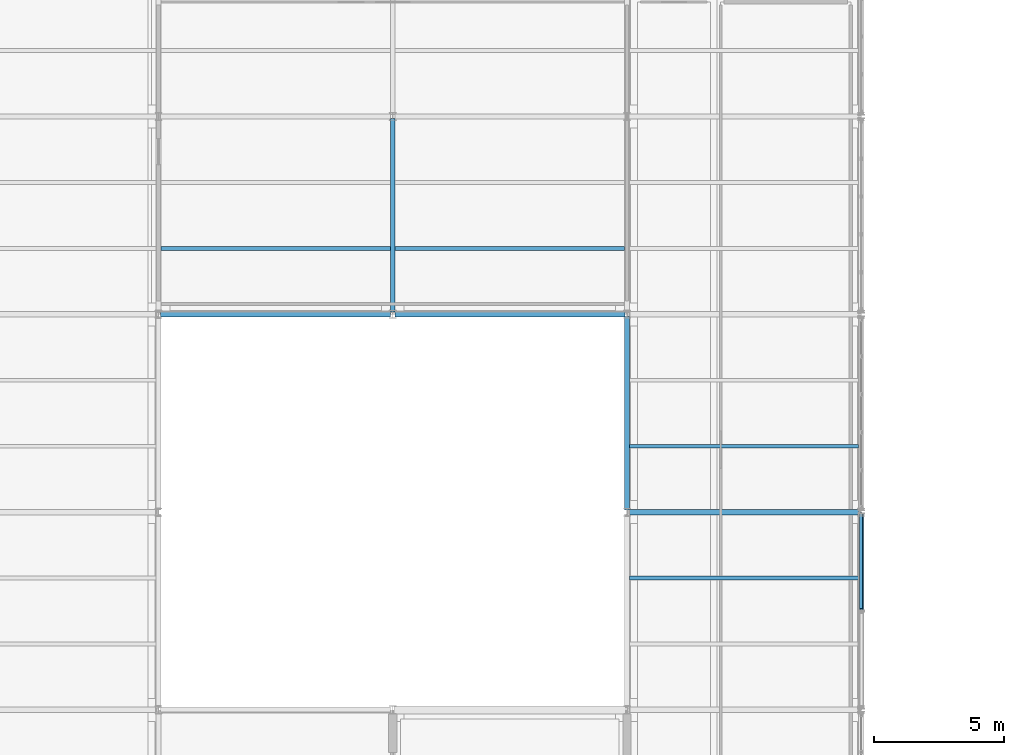
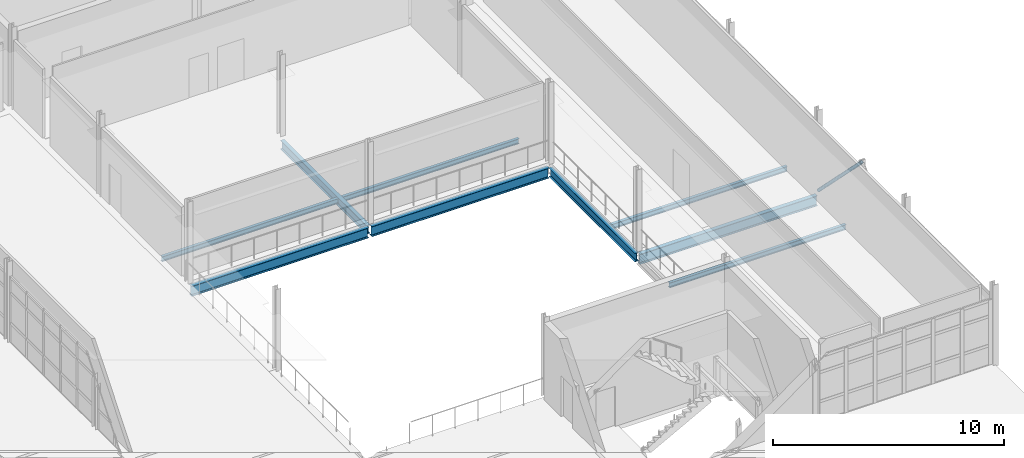
# One storey, part 61 of 96: 9 beams, 1 member.
"""IFC4 building model written with IfcOpenShell, lengths in metres."""

from ifc_helpers import new_model, si_unit, direction, frame, origin, origin_2d, place, context, subcontext, project, spatial, hollow_circle, i_section, extrude, material, material_profile, profile_set, type_object, element, save


model = new_model("IFC4")

# Units and contexts
model_context = context("Model", 3, precision=1e-05, world=origin(), true_north=direction((0.0, 1.0)))
body_context = subcontext(model_context, "Body", "Model", "MODEL_VIEW")
ifc_project = project(units=[si_unit("LENGTHUNIT", "METRE"), si_unit("AREAUNIT", "SQUARE_METRE"), si_unit("VOLUMEUNIT", "CUBIC_METRE"), si_unit("PLANEANGLEUNIT", "RADIAN"), si_unit("MASSUNIT", "GRAM", prefix="KILO")], contexts=[model_context])

# Site, building, storey
site_placement = place(None, origin())
site = spatial("IfcSite", under=ifc_project, at=site_placement, CompositionType="ELEMENT")
building_placement = place(site_placement, origin())
building = spatial("IfcBuilding", under=site, at=building_placement, Name="Caisbarro Railhouse Central Library", CompositionType="ELEMENT")
storey_placement = place(building_placement, frame((0.0, 0.0, 13.679931640625)))
storey = spatial("IfcBuildingStorey", under=building, at=storey_placement, Name="L03", CompositionType="ELEMENT", Elevation=13.679931640625)

# Beams
ifc_material = material(Name="Steel ASTM A572 Grade 50", Category="steel")
ifc_material_profile_1 = material_profile(ifc_material, i_section(OverallWidth=0.208984375, OverallDepth=0.532958984375, WebThickness=0.01025390625, FlangeThickness=0.015625, FilletRadius=0.02001953125, at=origin_2d()), Name="W530X92.0")
ifc_profile_set_1 = profile_set([ifc_material_profile_1], Name="Steel ASTM A572 Grade 50")
beam_type_1 = type_object("IfcBeamType", Name="BM-G06", PredefinedType="BEAM", material=ifc_profile_set_1)
for number, where, z_axis, x_axis, name in (
    (1, (144.080078125, 83.60009765625, -0.486328125), (1.0, 0.0, 0.0), (0.0, 1.0, 0.0), "G06 beam L03 #1864"),
    (2, (126.080078125, 91.199951171875, -0.486328125), (1.0, 0.0, 0.0), (0.0, 1.0, 0.0), "G06 beam L03 #1866"),
    (3, (135.080078125, 91.199951171875, -0.486328125), (1.0, 0.0, 0.0), (0.0, 1.0, 0.0), "G06 beam L03 #1867"),
):
    element("IfcBeam", number, at=place(storey_placement, frame(where, z_axis=z_axis, x_axis=x_axis)), inside=storey, type_object=beam_type_1, Name=name, PredefinedType="BEAM", context=body_context, shape_type="SweptSolid", body=[
        extrude(i_section(OverallWidth=0.208984375, OverallDepth=0.532958984375, WebThickness=0.01025390625, FlangeThickness=0.015625, FilletRadius=0.02001953125, at=origin_2d()), origin(), (0.0, 0.0, 1.0), 8.83984375),
    ])
ifc_material_profile_2 = material_profile(ifc_material, i_section(OverallWidth=0.18994140625, OverallDepth=0.45703125, WebThickness=0.009033203125, FlangeThickness=0.014404296875, FilletRadius=0.01806640625, at=origin_2d()), Name="W460X74.0")
ifc_profile_set_2 = profile_set([ifc_material_profile_2], Name="Steel ASTM A572 Grade 50")
beam_type_2 = type_object("IfcBeamType", Name="BM-G08", PredefinedType="BEAM", material=ifc_profile_set_2)
beam_1_placement = place(storey_placement, frame((135.0, 91.280029296875, -0.448486328125), z_axis=(0.0, 1.0, 0.0), x_axis=(-1.0, 0.0, 0.0)))
element("IfcBeam", 4, at=beam_1_placement, inside=storey, type_object=beam_type_2, Name="G08 beam L03 #1894", PredefinedType="BEAM", context=body_context, shape_type="SweptSolid", body=[
    extrude(i_section(OverallWidth=0.18994140625, OverallDepth=0.45703125, WebThickness=0.009033203125, FlangeThickness=0.014404296875, FilletRadius=0.01806640625, at=origin_2d()), origin(), (0.0, 0.0, 1.0), 7.43994140625),
])
beam_2_placement = place(storey_placement, frame((144.0, 83.679931640625, -0.448486328125), z_axis=(0.0, 1.0, 0.0), x_axis=(-1.0, 0.0, 0.0)))
element("IfcBeam", 5, at=beam_2_placement, inside=storey, type_object=beam_type_2, Name="G08 beam L03 #1899", PredefinedType="BEAM", context=body_context, shape_type="SweptSolid", body=[
    extrude(i_section(OverallWidth=0.18994140625, OverallDepth=0.45703125, WebThickness=0.009033203125, FlangeThickness=0.014404296875, FilletRadius=0.01806640625, at=origin_2d()), origin(), (0.0, 0.0, 1.0), 7.440185546875),
])
ifc_material_profile_3 = material_profile(ifc_material, i_section(OverallWidth=0.14794921875, OverallDepth=0.26611328125, WebThickness=0.007568359375, FlangeThickness=0.012939453125, FilletRadius=0.010009765625, at=origin_2d()), Name="W250X44.8")
ifc_profile_set_3 = profile_set([ifc_material_profile_3], Name="Steel ASTM A572 Grade 50")
beam_type_3 = type_object("IfcBeamType", Name="BM-J04", PredefinedType="JOIST", material=ifc_profile_set_3)
for number, where, z_axis, x_axis, name in (
    (6, (126.094970703125, 93.7333984375, -0.35302734375), (1.0, 0.0, 0.0), (0.0, 1.0, 0.0), "J04 beam L03 #1923"),
    (7, (135.094970703125, 93.7333984375, -0.35302734375), (1.0, 0.0, 0.0), (0.0, 1.0, 0.0), "J04 beam L03 #1927"),
):
    element("IfcBeam", number, at=place(storey_placement, frame(where, z_axis=z_axis, x_axis=x_axis)), inside=storey, type_object=beam_type_3, Name=name, PredefinedType="JOIST", context=body_context, shape_type="SweptSolid", body=[
        extrude(i_section(OverallWidth=0.14794921875, OverallDepth=0.26611328125, WebThickness=0.007568359375, FlangeThickness=0.012939453125, FilletRadius=0.010009765625, at=origin_2d()), origin(), (0.0, 0.0, 1.0), 8.81005859375),
    ])
for number, where, z_axis, x_axis, name in (
    (8, (144.094970703125, 81.066650390625, -0.35302734375), (1.0, 0.0, 0.0), (0.0, 1.0, 0.0), "J04 beam L03 #1936"),
    (9, (144.094970703125, 86.13330078125, -0.35302734375), (1.0, 0.0, 0.0), (0.0, 1.0, 0.0), "J04 beam L03 #1937"),
):
    element("IfcBeam", number, at=place(storey_placement, frame(where, z_axis=z_axis, x_axis=x_axis)), inside=storey, type_object=beam_type_3, Name=name, PredefinedType="JOIST", context=body_context, shape_type="SweptSolid", body=[
        extrude(i_section(OverallWidth=0.14794921875, OverallDepth=0.26611328125, WebThickness=0.007568359375, FlangeThickness=0.012939453125, FilletRadius=0.010009765625, at=origin_2d()), origin(), (0.0, 0.0, 1.0), 8.804931640625),
    ])

# Member
ifc_material_profile_4 = material_profile(ifc_material, hollow_circle(Radius=0.084228515625, WallThickness=0.008056640625, at=origin_2d()), Name="CHS168.3X8")
ifc_profile_set_4 = profile_set([ifc_material_profile_4], Name="Steel ASTM A572 Grade 50")
member_type = type_object("IfcMemberType", Name="MEM-BR04", PredefinedType="BRACE", material=ifc_profile_set_4)
member_placement = place(storey_placement, frame((153.0, 83.5400390625, 0.02001953125), z_axis=(0.0, -0.705196384846, 0.709012030082), x_axis=(1.0, 0.0, 0.0)))
element("IfcMember", 10, at=member_placement, inside=storey, type_object=member_type, Name="BR04 chevron brace X153 L03.2", PredefinedType="BRACE", context=body_context, shape_type="SweptSolid", body=[
    extrude(hollow_circle(Radius=0.084228515625, WallThickness=0.008056640625, at=origin_2d()), origin(), (0.0, 0.0, 1.0), 5.24658203125),
])

save(model, "model.ifc")
